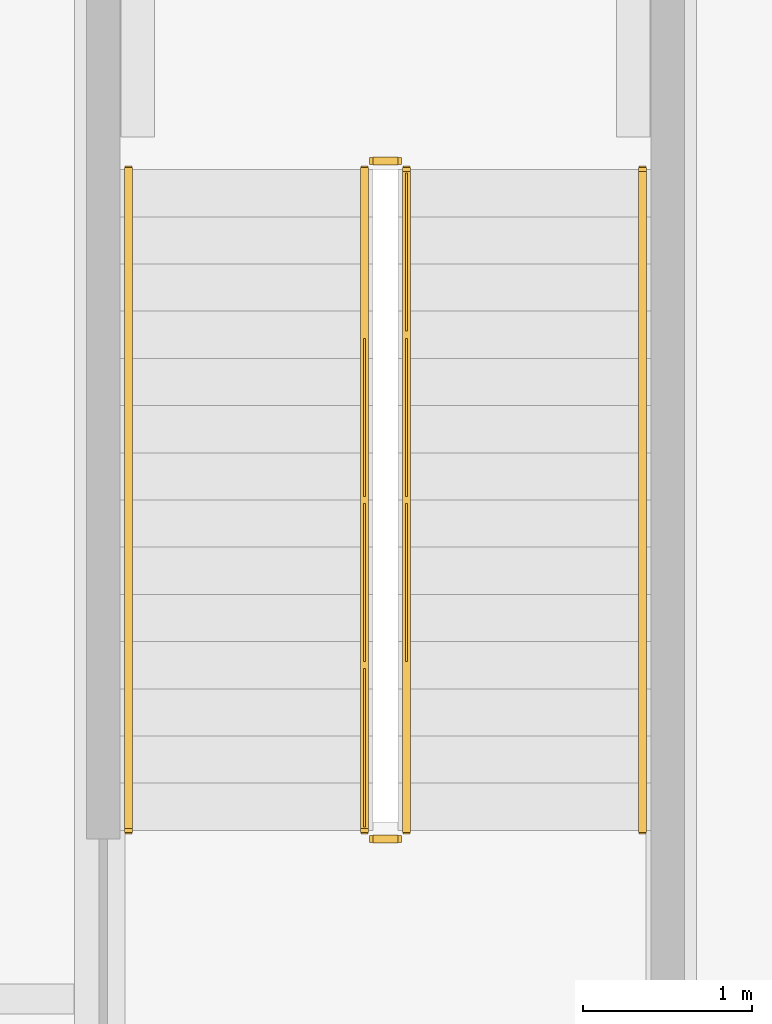
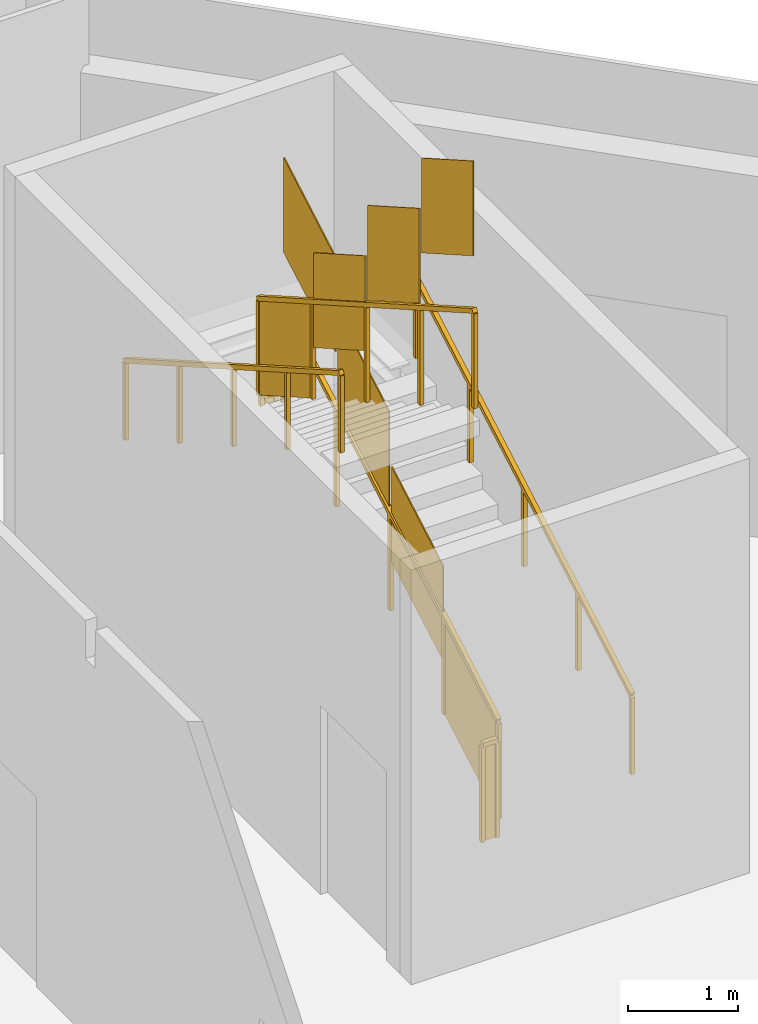
# One storey, part 25 of 25: 6 railings.
"""IFC4 building model written with IfcOpenShell, lengths in metres."""

import ifcopenshell
import ifcopenshell.guid

model = None  # the IFC model being written
_history = None  # IfcOwnerHistory: only IFC2X3 demands one
_inside = {}  # id of a spatial element -> (the spatial element, [elements in it])
_under = {}  # id of a project, library or spatial element -> (it, [spatial elements below it])
_declared = {}  # id of a project -> (the project, [libraries it declares])
_typed = {}  # id of a type object -> (the type object, [elements of that type])
_made_of = {}  # id of a material, layer set ... -> (it, [elements and type objects made of it])


def new_model(schema):
    """Start an empty IFC model of exactly this schema.

    Asked for "IFC4X3", IfcOpenShell would pick the latest addendum, in which some entities
    have other attributes; the version numbers below select the first issue.
    IFC2X3 requires an IfcOwnerHistory on every rooted entity: one is made here for all.
    """
    global model, _history
    if schema == "IFC4X3":
        model = ifcopenshell.file(schema_version=(4, 3, 0, 0))
    else:
        model = ifcopenshell.file(schema=schema)
    _inside.clear()
    _under.clear()
    _declared.clear()
    _typed.clear()
    _made_of.clear()
    _history = None
    if model.schema == "IFC2X3":
        org = make("IfcOrganization", Name="unknown")
        user = make(
            "IfcPersonAndOrganization",
            ThePerson=make("IfcPerson", FamilyName="unknown"),
            TheOrganization=org,
        )
        app = make(
            "IfcApplication",
            ApplicationDeveloper=org,
            Version="unknown",
            ApplicationFullName="unknown",
            ApplicationIdentifier="unknown",
        )
        _history = make(
            "IfcOwnerHistory",
            OwningUser=user,
            OwningApplication=app,
            ChangeAction="ADDED",
            CreationDate=0,
        )
    return model


def make(cls, **values):
    """One entity of the class cls with the attributes given. An attribute that is None is left unset."""
    return model.create_entity(
        cls, **{name: value for name, value in values.items() if value is not None}
    )


def rooted(cls, **values):
    """An entity with a GlobalId (a new one), such as an element, a storey or a relation."""
    return make(cls, GlobalId=ifcopenshell.guid.new(), OwnerHistory=_history, **values)


def si_unit(unit_type, name, prefix=None):
    """IfcSIUnit, for example si_unit("LENGTHUNIT", "METRE", prefix="MILLI")."""
    return make("IfcSIUnit", UnitType=unit_type, Prefix=prefix, Name=name)


def assignment(units):
    """IfcUnitAssignment: the units of a project."""
    return None if units is None else make("IfcUnitAssignment", Units=units)


def point(xyz):
    """IfcCartesianPoint."""
    return None if xyz is None else make("IfcCartesianPoint", Coordinates=xyz)


def direction(xyz):
    """IfcDirection."""
    return None if xyz is None else make("IfcDirection", DirectionRatios=xyz)


def frame(location, z_axis=None, x_axis=None):
    """IfcAxis2Placement3D, a coordinate frame: its origin and axes. An axis left out is left unset."""
    return make(
        "IfcAxis2Placement3D",
        Location=point(location),
        Axis=direction(z_axis),
        RefDirection=direction(x_axis),
    )


def frame_2d(location, x_axis=None):
    """IfcAxis2Placement2D, a coordinate frame in the plane: its origin and x axis."""
    return make(
        "IfcAxis2Placement2D", Location=point(location), RefDirection=direction(x_axis)
    )


def origin():
    """The frame at (0, 0, 0) with its axes left unset."""
    return frame((0.0, 0.0, 0.0))


def origin_2d():
    """The frame at (0, 0) in the plane with its x axis left unset."""
    return frame_2d((0.0, 0.0))


def place(relative_to, where):
    """IfcLocalPlacement: puts the frame where relative to a parent placement (None: the world)."""
    return make(
        "IfcLocalPlacement", PlacementRelTo=relative_to, RelativePlacement=where
    )


def context(
    kind, dimensions, precision=None, world=None, true_north=None, identifier=None
):
    """IfcGeometricRepresentationContext, for example the 3D "Model" context."""
    return make(
        "IfcGeometricRepresentationContext",
        ContextIdentifier=identifier,
        ContextType=kind,
        CoordinateSpaceDimension=dimensions,
        Precision=precision,
        WorldCoordinateSystem=world,
        TrueNorth=true_north,
    )


def subcontext(parent, identifier, kind, view, scale=None):
    """IfcGeometricRepresentationSubContext, for example "Body" below "Model"."""
    return make(
        "IfcGeometricRepresentationSubContext",
        ContextIdentifier=identifier,
        ContextType=kind,
        ParentContext=parent,
        TargetScale=scale,
        TargetView=view,
    )


def project(units=None, contexts=None):
    """IfcProject with its units and contexts."""
    return rooted(
        "IfcProject",
        Name="project",
        RepresentationContexts=contexts,
        UnitsInContext=assignment(units),
    )


def spatial(cls, under=None, at=None, **own):
    """A site, building, storey or space (cls), placed at a placement, below another one or the project."""
    s = rooted(cls, ObjectPlacement=at, **own)
    if under is not None:
        _under.setdefault(under.id(), (under, []))[1].append(s)
    return s


def polyline(points):
    """IfcPolyline through the points."""
    return make("IfcPolyline", Points=[point(p) for p in points])


def profile(cls, at=None, kind="AREA", **sizes):
    """A parametric profile (cls). Its sizes go by their IFC names, for example OverallWidth=200.0."""
    return make(cls, ProfileType=kind, Position=at, **sizes)


def rectangle(**sizes):
    """IfcRectangleProfileDef."""
    return profile("IfcRectangleProfileDef", **sizes)


def outline(outer, holes=None, kind="AREA"):
    """IfcArbitraryClosedProfileDef: a profile drawn as a closed curve; with holes, ...WithVoids."""
    if holes is None:
        return make("IfcArbitraryClosedProfileDef", ProfileType=kind, OuterCurve=outer)
    return make(
        "IfcArbitraryProfileDefWithVoids",
        ProfileType=kind,
        OuterCurve=outer,
        InnerCurves=holes,
    )


def extrude(swept, where, along, depth):
    """IfcExtrudedAreaSolid: the profile swept, set in the frame where, extruded along a direction by depth."""
    return make(
        "IfcExtrudedAreaSolid",
        SweptArea=swept,
        Position=where,
        ExtrudedDirection=direction(along),
        Depth=depth,
    )


def shape(context_of_items, identifier, shape_type, items):
    """IfcShapeRepresentation: the items that make up one representation, for example the "Body"."""
    return make(
        "IfcShapeRepresentation",
        ContextOfItems=context_of_items,
        RepresentationIdentifier=identifier,
        RepresentationType=shape_type,
        Items=items,
    )


def material(Name=None, Category=None):
    """IfcMaterial."""
    return make("IfcMaterial", Name=Name, Category=Category)


def made_of(thing, what):
    """Note that an element or type object is made of a material, layer set ...; save() writes the relation."""
    if what is not None:
        _made_of.setdefault(what.id(), (what, []))[1].append(thing)
    return thing


def type_object(cls, material=None, **own):
    """A type object (cls), such as IfcWallType, which elements share."""
    return made_of(rooted(cls, **own), material)


def element(
    cls,
    number,
    at=None,
    inside=None,
    cuts=None,
    type_object=None,
    material=None,
    context=None,
    identifier="Body",
    shape_type=None,
    held_by="IfcProductDefinitionShape",
    body=None,
    shapes=None,
    **own,
):
    """One element of the class cls, such as IfcWall. Its Tag is "e" and its number.

    at: its placement. inside: the storey or other place that contains it. cuts: it is an
    opening in that element (IfcRelVoidsElement). A single representation is given by context,
    identifier, shape_type and body (its items); several are given by shapes. held_by: the class
    of the entity that holds the representations. save() writes the other relations.
    """
    e = rooted(cls, Tag="e%d" % number, ObjectPlacement=at, **own)
    if body is not None:
        shapes = [shape(context, identifier, shape_type, body)]
    if shapes is not None:
        e.Representation = make(held_by, Representations=shapes)
    if inside is not None:
        _inside.setdefault(inside.id(), (inside, []))[1].append(e)
    if cuts is not None:
        rooted(
            "IfcRelVoidsElement", RelatingBuildingElement=cuts, RelatedOpeningElement=e
        )
    if type_object is not None:
        _typed.setdefault(type_object.id(), (type_object, []))[1].append(e)
    return made_of(e, material)


def aggregate(whole, parts):
    """IfcRelAggregates: a whole, such as a stair, and the parts it consists of."""
    return rooted("IfcRelAggregates", RelatingObject=whole, RelatedObjects=parts)


def save(model, path):
    """Write the relations noted so far, then the file.

    IfcRelAggregates (storeys below a building ...), IfcRelContainedInSpatialStructure (elements
    in a storey), IfcRelDefinesByType, IfcRelAssociatesMaterial and IfcRelDeclares: one each for
    every whole, place, type object, material and project.
    """
    for whole, parts in _under.values():
        aggregate(whole, parts)
    for where, things in _inside.values():
        rooted(
            "IfcRelContainedInSpatialStructure",
            RelatedElements=things,
            RelatingStructure=where,
        )
    for kind, things in _typed.values():
        rooted("IfcRelDefinesByType", RelatedObjects=things, RelatingType=kind)
    for what, things in _made_of.values():
        rooted("IfcRelAssociatesMaterial", RelatedObjects=things, RelatingMaterial=what)
    for by, libraries in _declared.values():
        rooted("IfcRelDeclares", RelatingContext=by, RelatedDefinitions=libraries)
    model.write(path)


model = new_model("IFC4")

# Units and contexts
model_context = context("Model", 3, precision=1e-05, world=origin(), true_north=direction((0.0, 1.0)))
body_context = subcontext(model_context, "Body", "Model", "MODEL_VIEW")
ifc_project = project(units=[si_unit("LENGTHUNIT", "METRE"), si_unit("AREAUNIT", "SQUARE_METRE"), si_unit("VOLUMEUNIT", "CUBIC_METRE"), si_unit("PLANEANGLEUNIT", "RADIAN"), si_unit("MASSUNIT", "GRAM", prefix="KILO")], contexts=[model_context])

# Site, building, storey
site_placement = place(None, origin())
site = spatial("IfcSite", under=ifc_project, at=site_placement, CompositionType="ELEMENT")
building_placement = place(site_placement, origin())
building = spatial("IfcBuilding", under=site, at=building_placement, Name="Cairn Pilgrim Tower", CompositionType="ELEMENT")
storey_placement = place(building_placement, frame((0.0, 0.0, 30.60009765625)))
storey = spatial("IfcBuildingStorey", under=building, at=storey_placement, Name="L05", CompositionType="ELEMENT", Elevation=30.60009765625)

# Railings
ifc_material = material(Name="Painted steel", Category="steel")
railing_type_1 = type_object("IfcRailingType", Name="PODIUM STAIR GUARD 1100", PredefinedType="GUARDRAIL", material=ifc_material)
railing_1_placement = place(storey_placement, frame((32.699951171875, 20.199951171875, 0.159912109375)))
element("IfcRailing", 1, at=railing_1_placement, inside=storey, type_object=railing_type_1, Name="L05 ST-ES4 stair guard 1", PredefinedType="GUARDRAIL", context=body_context, shape_type="SweptSolid", body=[
    extrude(rectangle(XDim=0.048095703125, YDim=0.048095703125, at=origin_2d()), frame((0.0, 0.0, 1.076171875), z_axis=(0.0, 0.86825312469, 0.496121468458), x_axis=(-1.0, 0.0, 0.0)), (0.0, 0.0, 1.0), 4.514892578125),
    extrude(rectangle(XDim=0.0419921875, YDim=0.0419921875, at=origin_2d()), origin(), (0.0, 0.0, 1.0), 1.052001953125),
    extrude(rectangle(XDim=0.0419921875, YDim=0.0419921875, at=origin_2d()), frame((0.0, 0.97998046875, 0.56005859375)), (0.0, 0.0, 1.0), 1.052001953125),
    extrude(rectangle(XDim=0.0419921875, YDim=0.0419921875, at=origin_2d()), frame((0.0, 1.9599609375, 1.1201171875)), (0.0, 0.0, 1.0), 1.052001953125),
    extrude(rectangle(XDim=0.0419921875, YDim=0.0419921875, at=origin_2d()), frame((0.0, 2.940185546875, 1.679931640625)), (0.0, 0.0, 1.0), 1.052001953125),
    extrude(rectangle(XDim=0.0419921875, YDim=0.0419921875, at=origin_2d()), frame((0.0, 3.920166015625, 2.239990234375)), (0.0, 0.0, 1.0), 1.052001953125),
    extrude(outline(polyline([(0.02099609375, 0.011962890625), (0.958984375, 0.548095703125), (0.958984375, 1.60009765625), (0.02099609375, 1.06396484375), (0.02099609375, 0.011962890625)])), frame((-0.005859375, 0.0, 0.0), z_axis=(1.0, 0.0, 0.0), x_axis=(0.0, 1.0, 0.0)), (0.0, 0.0, 1.0), 0.011962890625),
    extrude(outline(polyline([(0.02099609375, 0.572021484375), (0.958984375, 1.10791015625), (0.958984375, 2.159912109375), (0.02099609375, 1.6240234375), (0.02099609375, 0.572021484375)])), frame((-0.005859375, 0.97998046875, 0.56005859375), z_axis=(1.0, 0.0, 0.0), x_axis=(0.0, 1.0, 0.0)), (0.0, 0.0, 1.0), 0.011962890625),
    extrude(outline(polyline([(0.02099609375, 1.132080078125), (0.958984375, 1.66796875), (0.958984375, 2.719970703125), (0.02099609375, 2.18408203125), (0.02099609375, 1.132080078125)])), frame((-0.005859375, 1.9599609375, 1.1201171875), z_axis=(1.0, 0.0, 0.0), x_axis=(0.0, 1.0, 0.0)), (0.0, 0.0, 1.0), 0.011962890625),
    extrude(outline(polyline([(0.02099609375, 1.69189453125), (0.958984375, 2.22802734375), (0.958984375, 3.280029296875), (0.02099609375, 2.743896484375), (0.02099609375, 1.69189453125)])), frame((-0.005859375, 2.940185546875, 1.679931640625), z_axis=(1.0, 0.0, 0.0), x_axis=(0.0, 1.0, 0.0)), (0.0, 0.0, 1.0), 0.011962890625),
])
railing_2_placement = place(storey_placement, frame((32.64990234375, 24.169921875, 2.39990234375)))
element("IfcRailing", 2, at=railing_2_placement, inside=storey, type_object=railing_type_1, Name="L05 ST-ES4 stair guard 2", PredefinedType="GUARDRAIL", context=body_context, shape_type="SweptSolid", body=[
    extrude(rectangle(XDim=0.048095703125, YDim=0.048095703125, at=origin_2d()), frame((0.0, 0.0, 1.076171875), z_axis=(-1.0, 0.0, 0.0), x_axis=(0.0, -1.0, 0.0)), (0.0, 0.0, 1.0), 0.14990234375),
    extrude(rectangle(XDim=0.0419921875, YDim=0.0419921875, at=origin_2d()), origin(), (0.0, 0.0, 1.0), 1.052001953125),
    extrude(rectangle(XDim=0.0419921875, YDim=0.0419921875, at=origin_2d()), frame((-0.14990234375, 0.0, 0.0)), (0.0, 0.0, 1.0), 1.052001953125),
    extrude(outline(polyline([(0.02099609375, 0.0), (0.12890625, 0.0), (0.12890625, 1.052001953125), (0.02099609375, 1.052001953125), (0.02099609375, 0.0)])), frame((0.0, -0.005859375, 0.0), z_axis=(0.0, 1.0, 0.0), x_axis=(-1.0, 0.0, 0.0)), (0.0, 0.0, 1.0), 0.011962890625),
])
railing_3_placement = place(storey_placement, frame((32.449951171875, 24.1201171875, 2.559814453125)))
element("IfcRailing", 3, at=railing_3_placement, inside=storey, type_object=railing_type_1, Name="L05 ST-ES4 stair guard 3", PredefinedType="GUARDRAIL", context=body_context, shape_type="SweptSolid", body=[
    extrude(rectangle(XDim=0.048095703125, YDim=0.048095703125, at=origin_2d()), frame((0.0, 0.0, 1.076171875), z_axis=(0.0, -0.86825312469, 0.496121468458), x_axis=(1.0, 0.0, 0.0)), (0.0, 0.0, 1.0), 4.514892578125),
    extrude(rectangle(XDim=0.0419921875, YDim=0.0419921875, at=origin_2d()), origin(), (0.0, 0.0, 1.0), 1.052001953125),
    extrude(rectangle(XDim=0.0419921875, YDim=0.0419921875, at=origin_2d()), frame((0.0, -0.97998046875, 0.56005859375)), (0.0, 0.0, 1.0), 1.052001953125),
    extrude(rectangle(XDim=0.0419921875, YDim=0.0419921875, at=origin_2d()), frame((0.0, -1.9599609375, 1.1201171875)), (0.0, 0.0, 1.0), 1.052001953125),
    extrude(rectangle(XDim=0.0419921875, YDim=0.0419921875, at=origin_2d()), frame((0.0, -2.940185546875, 1.679931640625)), (0.0, 0.0, 1.0), 1.052001953125),
    extrude(rectangle(XDim=0.0419921875, YDim=0.0419921875, at=origin_2d()), frame((0.0, -3.920166015625, 2.239990234375)), (0.0, 0.0, 1.0), 1.052001953125),
    extrude(outline(polyline([(0.02099609375, 0.011962890625), (0.958984375, 0.548095703125), (0.958984375, 1.60009765625), (0.02099609375, 1.06396484375), (0.02099609375, 0.011962890625)])), frame((0.005859375, 0.0, 0.0), z_axis=(-1.0, 0.0, 0.0), x_axis=(0.0, -1.0, 0.0)), (0.0, 0.0, 1.0), 0.011962890625),
    extrude(outline(polyline([(0.02099609375, 0.572021484375), (0.958984375, 1.10791015625), (0.958984375, 2.159912109375), (0.02099609375, 1.6240234375), (0.02099609375, 0.572021484375)])), frame((0.005859375, -0.97998046875, 0.56005859375), z_axis=(-1.0, 0.0, 0.0), x_axis=(0.0, -1.0, 0.0)), (0.0, 0.0, 1.0), 0.011962890625),
    extrude(outline(polyline([(0.02099609375, 1.132080078125), (0.958984375, 1.66796875), (0.958984375, 2.719970703125), (0.02099609375, 2.18408203125), (0.02099609375, 1.132080078125)])), frame((0.005859375, -1.9599609375, 1.1201171875), z_axis=(-1.0, 0.0, 0.0), x_axis=(0.0, -1.0, 0.0)), (0.0, 0.0, 1.0), 0.011962890625),
    extrude(outline(polyline([(0.02099609375, 1.69189453125), (0.958984375, 2.22802734375), (0.958984375, 3.280029296875), (0.02099609375, 2.743896484375), (0.02099609375, 1.69189453125)])), frame((0.005859375, -2.940185546875, 1.679931640625), z_axis=(-1.0, 0.0, 0.0), x_axis=(0.0, -1.0, 0.0)), (0.0, 0.0, 1.0), 0.011962890625),
])
railing_4_placement = place(storey_placement, frame((32.64990234375, 20.14990234375, 0.0)))
element("IfcRailing", 4, at=railing_4_placement, inside=storey, type_object=railing_type_1, Name="L05 ST-ES4 stair guard 4", PredefinedType="GUARDRAIL", context=body_context, shape_type="SweptSolid", body=[
    extrude(rectangle(XDim=0.048095703125, YDim=0.048095703125, at=origin_2d()), frame((0.0, 0.0, 1.076171875), z_axis=(-1.0, 0.0, 0.0), x_axis=(0.0, -1.0, 0.0)), (0.0, 0.0, 1.0), 0.14990234375),
    extrude(rectangle(XDim=0.0419921875, YDim=0.0419921875, at=origin_2d()), origin(), (0.0, 0.0, 1.0), 1.052001953125),
    extrude(rectangle(XDim=0.0419921875, YDim=0.0419921875, at=origin_2d()), frame((-0.14990234375, 0.0, 0.0)), (0.0, 0.0, 1.0), 1.052001953125),
    extrude(outline(polyline([(0.02099609375, 0.0), (0.12890625, 0.0), (0.12890625, 1.052001953125), (0.02099609375, 1.052001953125), (0.02099609375, 0.0)])), frame((0.0, -0.005859375, 0.0), z_axis=(0.0, 1.0, 0.0), x_axis=(-1.0, 0.0, 0.0)), (0.0, 0.0, 1.0), 0.011962890625),
])
railing_type_2 = type_object("IfcRailingType", Name="PODIUM STAIR HANDRAIL 900", PredefinedType="HANDRAIL", material=ifc_material)
railing_5_placement = place(storey_placement, frame((34.10009765625, 20.199951171875, 0.159912109375)))
element("IfcRailing", 5, at=railing_5_placement, inside=storey, type_object=railing_type_2, Name="L05 ST-ES4 stair handrail 1", PredefinedType="HANDRAIL", context=body_context, shape_type="SweptSolid", body=[
    extrude(rectangle(XDim=0.048095703125, YDim=0.048095703125, at=origin_2d()), frame((0.0, 0.0, 0.8759765625), z_axis=(0.0, 0.86825312469, 0.496121468458), x_axis=(-1.0, 0.0, 0.0)), (0.0, 0.0, 1.0), 4.514892578125),
    extrude(rectangle(XDim=0.0419921875, YDim=0.0419921875, at=origin_2d()), origin(), (0.0, 0.0, 1.0), 0.851806640625),
    extrude(rectangle(XDim=0.0419921875, YDim=0.0419921875, at=origin_2d()), frame((0.0, 0.97998046875, 0.56005859375)), (0.0, 0.0, 1.0), 0.851806640625),
    extrude(rectangle(XDim=0.0419921875, YDim=0.0419921875, at=origin_2d()), frame((0.0, 1.9599609375, 1.1201171875)), (0.0, 0.0, 1.0), 0.851806640625),
    extrude(rectangle(XDim=0.0419921875, YDim=0.0419921875, at=origin_2d()), frame((0.0, 2.940185546875, 1.679931640625)), (0.0, 0.0, 1.0), 0.851806640625),
    extrude(rectangle(XDim=0.0419921875, YDim=0.0419921875, at=origin_2d()), frame((0.0, 3.920166015625, 2.239990234375)), (0.0, 0.0, 1.0), 0.851806640625),
])
railing_6_placement = place(storey_placement, frame((31.050048828125, 24.1201171875, 2.559814453125)))
element("IfcRailing", 6, at=railing_6_placement, inside=storey, type_object=railing_type_2, Name="L05 ST-ES4 stair handrail 2", PredefinedType="HANDRAIL", context=body_context, shape_type="SweptSolid", body=[
    extrude(rectangle(XDim=0.048095703125, YDim=0.048095703125, at=origin_2d()), frame((0.0, 0.0, 0.8759765625), z_axis=(0.0, -0.86825312469, 0.496121468458), x_axis=(1.0, 0.0, 0.0)), (0.0, 0.0, 1.0), 4.514892578125),
    extrude(rectangle(XDim=0.0419921875, YDim=0.0419921875, at=origin_2d()), origin(), (0.0, 0.0, 1.0), 0.851806640625),
    extrude(rectangle(XDim=0.0419921875, YDim=0.0419921875, at=origin_2d()), frame((0.0, -0.97998046875, 0.56005859375)), (0.0, 0.0, 1.0), 0.851806640625),
    extrude(rectangle(XDim=0.0419921875, YDim=0.0419921875, at=origin_2d()), frame((0.0, -1.9599609375, 1.1201171875)), (0.0, 0.0, 1.0), 0.851806640625),
    extrude(rectangle(XDim=0.0419921875, YDim=0.0419921875, at=origin_2d()), frame((0.0, -2.940185546875, 1.679931640625)), (0.0, 0.0, 1.0), 0.851806640625),
    extrude(rectangle(XDim=0.0419921875, YDim=0.0419921875, at=origin_2d()), frame((0.0, -3.920166015625, 2.239990234375)), (0.0, 0.0, 1.0), 0.851806640625),
])

save(model, "model.ifc")
